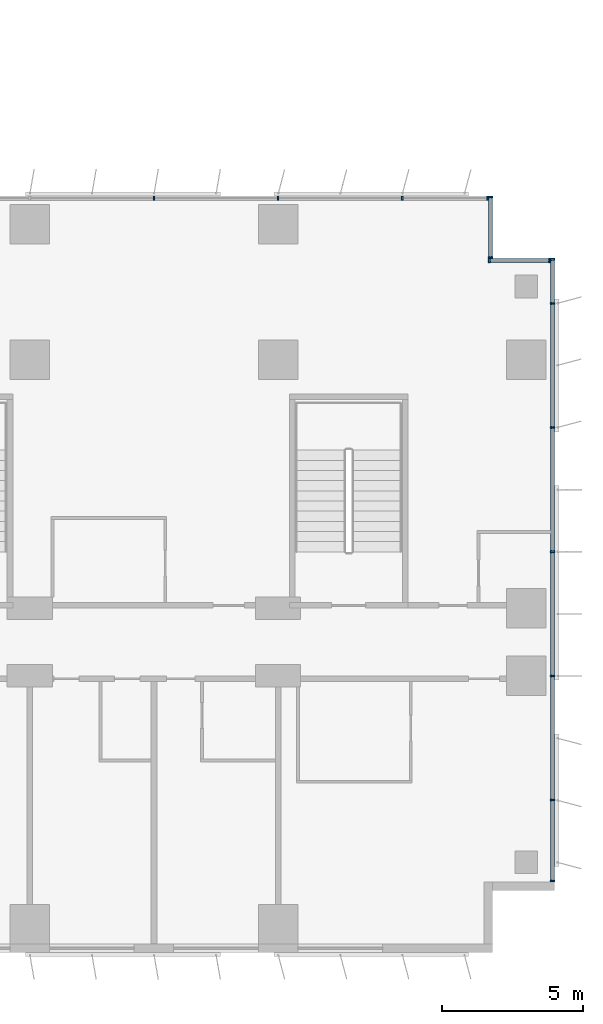
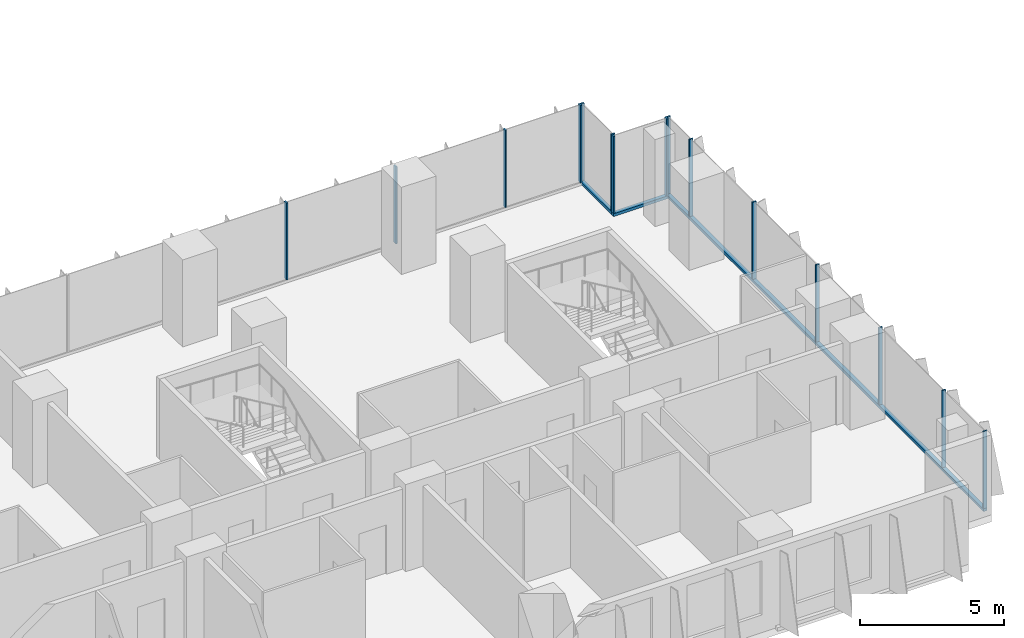
# One storey, part 8 of 24: 18 members, 4 elements without a shape of their own.
"""IFC4 building model written with IfcOpenShell, lengths in metres."""

import ifcopenshell
import ifcopenshell.guid

model = None  # the IFC model being written
_history = None  # IfcOwnerHistory: only IFC2X3 demands one
_inside = {}  # id of a spatial element -> (the spatial element, [elements in it])
_under = {}  # id of a project, library or spatial element -> (it, [spatial elements below it])
_declared = {}  # id of a project -> (the project, [libraries it declares])
_typed = {}  # id of a type object -> (the type object, [elements of that type])
_made_of = {}  # id of a material, layer set ... -> (it, [elements and type objects made of it])


def new_model(schema):
    """Start an empty IFC model of exactly this schema.

    Asked for "IFC4X3", IfcOpenShell would pick the latest addendum, in which some entities
    have other attributes; the version numbers below select the first issue.
    IFC2X3 requires an IfcOwnerHistory on every rooted entity: one is made here for all.
    """
    global model, _history
    if schema == "IFC4X3":
        model = ifcopenshell.file(schema_version=(4, 3, 0, 0))
    else:
        model = ifcopenshell.file(schema=schema)
    _inside.clear()
    _under.clear()
    _declared.clear()
    _typed.clear()
    _made_of.clear()
    _history = None
    if model.schema == "IFC2X3":
        org = make("IfcOrganization", Name="unknown")
        user = make(
            "IfcPersonAndOrganization",
            ThePerson=make("IfcPerson", FamilyName="unknown"),
            TheOrganization=org,
        )
        app = make(
            "IfcApplication",
            ApplicationDeveloper=org,
            Version="unknown",
            ApplicationFullName="unknown",
            ApplicationIdentifier="unknown",
        )
        _history = make(
            "IfcOwnerHistory",
            OwningUser=user,
            OwningApplication=app,
            ChangeAction="ADDED",
            CreationDate=0,
        )
    return model


def make(cls, **values):
    """One entity of the class cls with the attributes given. An attribute that is None is left unset."""
    return model.create_entity(
        cls, **{name: value for name, value in values.items() if value is not None}
    )


def rooted(cls, **values):
    """An entity with a GlobalId (a new one), such as an element, a storey or a relation."""
    return make(cls, GlobalId=ifcopenshell.guid.new(), OwnerHistory=_history, **values)


def si_unit(unit_type, name, prefix=None):
    """IfcSIUnit, for example si_unit("LENGTHUNIT", "METRE", prefix="MILLI")."""
    return make("IfcSIUnit", UnitType=unit_type, Prefix=prefix, Name=name)


def assignment(units):
    """IfcUnitAssignment: the units of a project."""
    return None if units is None else make("IfcUnitAssignment", Units=units)


def point(xyz):
    """IfcCartesianPoint."""
    return None if xyz is None else make("IfcCartesianPoint", Coordinates=xyz)


def direction(xyz):
    """IfcDirection."""
    return None if xyz is None else make("IfcDirection", DirectionRatios=xyz)


def frame(location, z_axis=None, x_axis=None):
    """IfcAxis2Placement3D, a coordinate frame: its origin and axes. An axis left out is left unset."""
    return make(
        "IfcAxis2Placement3D",
        Location=point(location),
        Axis=direction(z_axis),
        RefDirection=direction(x_axis),
    )


def frame_2d(location, x_axis=None):
    """IfcAxis2Placement2D, a coordinate frame in the plane: its origin and x axis."""
    return make(
        "IfcAxis2Placement2D", Location=point(location), RefDirection=direction(x_axis)
    )


def origin():
    """The frame at (0, 0, 0) with its axes left unset."""
    return frame((0.0, 0.0, 0.0))


def origin_2d():
    """The frame at (0, 0) in the plane with its x axis left unset."""
    return frame_2d((0.0, 0.0))


def place(relative_to, where):
    """IfcLocalPlacement: puts the frame where relative to a parent placement (None: the world)."""
    return make(
        "IfcLocalPlacement", PlacementRelTo=relative_to, RelativePlacement=where
    )


def context(
    kind, dimensions, precision=None, world=None, true_north=None, identifier=None
):
    """IfcGeometricRepresentationContext, for example the 3D "Model" context."""
    return make(
        "IfcGeometricRepresentationContext",
        ContextIdentifier=identifier,
        ContextType=kind,
        CoordinateSpaceDimension=dimensions,
        Precision=precision,
        WorldCoordinateSystem=world,
        TrueNorth=true_north,
    )


def subcontext(parent, identifier, kind, view, scale=None):
    """IfcGeometricRepresentationSubContext, for example "Body" below "Model"."""
    return make(
        "IfcGeometricRepresentationSubContext",
        ContextIdentifier=identifier,
        ContextType=kind,
        ParentContext=parent,
        TargetScale=scale,
        TargetView=view,
    )


def project(units=None, contexts=None):
    """IfcProject with its units and contexts."""
    return rooted(
        "IfcProject",
        Name="project",
        RepresentationContexts=contexts,
        UnitsInContext=assignment(units),
    )


def spatial(cls, under=None, at=None, **own):
    """A site, building, storey or space (cls), placed at a placement, below another one or the project."""
    s = rooted(cls, ObjectPlacement=at, **own)
    if under is not None:
        _under.setdefault(under.id(), (under, []))[1].append(s)
    return s


def profile(cls, at=None, kind="AREA", **sizes):
    """A parametric profile (cls). Its sizes go by their IFC names, for example OverallWidth=200.0."""
    return make(cls, ProfileType=kind, Position=at, **sizes)


def rectangle(**sizes):
    """IfcRectangleProfileDef."""
    return profile("IfcRectangleProfileDef", **sizes)


def extrude(swept, where, along, depth):
    """IfcExtrudedAreaSolid: the profile swept, set in the frame where, extruded along a direction by depth."""
    return make(
        "IfcExtrudedAreaSolid",
        SweptArea=swept,
        Position=where,
        ExtrudedDirection=direction(along),
        Depth=depth,
    )


def shape(context_of_items, identifier, shape_type, items):
    """IfcShapeRepresentation: the items that make up one representation, for example the "Body"."""
    return make(
        "IfcShapeRepresentation",
        ContextOfItems=context_of_items,
        RepresentationIdentifier=identifier,
        RepresentationType=shape_type,
        Items=items,
    )


def source(mapping_origin, context_of_items, identifier, shape_type, items):
    """IfcRepresentationMap: a shape defined once, which mapped items show again and again."""
    return make(
        "IfcRepresentationMap",
        MappingOrigin=mapping_origin,
        MappedRepresentation=shape(context_of_items, identifier, shape_type, items),
    )


def transform(
    local_origin,
    x_axis=None,
    y_axis=None,
    z_axis=None,
    scale=None,
    scale2=None,
    scale3=None,
    uniform=True,
):
    """IfcCartesianTransformationOperator3D, or its non-uniform kind. x_axis, y_axis, z_axis: its Axis1, 2, 3."""
    if uniform:
        return make(
            "IfcCartesianTransformationOperator3D",
            Axis1=direction(x_axis),
            Axis2=direction(y_axis),
            LocalOrigin=point(local_origin),
            Scale=scale,
            Axis3=direction(z_axis),
        )
    return make(
        "IfcCartesianTransformationOperator3DnonUniform",
        Axis1=direction(x_axis),
        Axis2=direction(y_axis),
        LocalOrigin=point(local_origin),
        Scale=scale,
        Axis3=direction(z_axis),
        Scale2=scale2,
        Scale3=scale3,
    )


def mapped(mapping_source, mapping_target):
    """IfcMappedItem: shows the shape of a source again, moved by a transform."""
    return make(
        "IfcMappedItem", MappingSource=mapping_source, MappingTarget=mapping_target
    )


def material(Name=None, Category=None):
    """IfcMaterial."""
    return make("IfcMaterial", Name=Name, Category=Category)


def material_profile(
    of_material, cross_section, Name=None, Category=None, Priority=None
):
    """IfcMaterialProfile: a cross section and its material."""
    return make(
        "IfcMaterialProfile",
        Name=Name,
        Material=of_material,
        Profile=cross_section,
        Priority=Priority,
        Category=Category,
    )


def profile_set(profiles, Name=None, composite=None):
    """IfcMaterialProfileSet."""
    return make(
        "IfcMaterialProfileSet",
        Name=Name,
        MaterialProfiles=profiles,
        CompositeProfile=composite,
    )


def made_of(thing, what):
    """Note that an element or type object is made of a material, layer set ...; save() writes the relation."""
    if what is not None:
        _made_of.setdefault(what.id(), (what, []))[1].append(thing)
    return thing


def type_object(cls, material=None, **own):
    """A type object (cls), such as IfcWallType, which elements share."""
    return made_of(rooted(cls, **own), material)


def element(
    cls,
    number,
    at=None,
    inside=None,
    cuts=None,
    type_object=None,
    material=None,
    context=None,
    identifier="Body",
    shape_type=None,
    held_by="IfcProductDefinitionShape",
    body=None,
    shapes=None,
    **own,
):
    """One element of the class cls, such as IfcWall. Its Tag is "e" and its number.

    at: its placement. inside: the storey or other place that contains it. cuts: it is an
    opening in that element (IfcRelVoidsElement). A single representation is given by context,
    identifier, shape_type and body (its items); several are given by shapes. held_by: the class
    of the entity that holds the representations. save() writes the other relations.
    """
    e = rooted(cls, Tag="e%d" % number, ObjectPlacement=at, **own)
    if body is not None:
        shapes = [shape(context, identifier, shape_type, body)]
    if shapes is not None:
        e.Representation = make(held_by, Representations=shapes)
    if inside is not None:
        _inside.setdefault(inside.id(), (inside, []))[1].append(e)
    if cuts is not None:
        rooted(
            "IfcRelVoidsElement", RelatingBuildingElement=cuts, RelatedOpeningElement=e
        )
    if type_object is not None:
        _typed.setdefault(type_object.id(), (type_object, []))[1].append(e)
    return made_of(e, material)


def aggregate(whole, parts):
    """IfcRelAggregates: a whole, such as a stair, and the parts it consists of."""
    return rooted("IfcRelAggregates", RelatingObject=whole, RelatedObjects=parts)


def save(model, path):
    """Write the relations noted so far, then the file.

    IfcRelAggregates (storeys below a building ...), IfcRelContainedInSpatialStructure (elements
    in a storey), IfcRelDefinesByType, IfcRelAssociatesMaterial and IfcRelDeclares: one each for
    every whole, place, type object, material and project.
    """
    for whole, parts in _under.values():
        aggregate(whole, parts)
    for where, things in _inside.values():
        rooted(
            "IfcRelContainedInSpatialStructure",
            RelatedElements=things,
            RelatingStructure=where,
        )
    for kind, things in _typed.values():
        rooted("IfcRelDefinesByType", RelatedObjects=things, RelatingType=kind)
    for what, things in _made_of.values():
        rooted("IfcRelAssociatesMaterial", RelatedObjects=things, RelatingMaterial=what)
    for by, libraries in _declared.values():
        rooted("IfcRelDeclares", RelatingContext=by, RelatedDefinitions=libraries)
    model.write(path)


model = new_model("IFC4")

# Units and contexts
model_context = context("Model", 3, precision=1e-05, world=origin(), true_north=direction((0.0, 1.0)))
body_context = subcontext(model_context, "Body", "Model", "MODEL_VIEW")
ifc_project = project(units=[si_unit("LENGTHUNIT", "METRE"), si_unit("AREAUNIT", "SQUARE_METRE"), si_unit("VOLUMEUNIT", "CUBIC_METRE"), si_unit("PLANEANGLEUNIT", "RADIAN"), si_unit("MASSUNIT", "GRAM", prefix="KILO")], contexts=[model_context])

# Site, building, storey
site_placement = place(None, origin())
site = spatial("IfcSite", under=ifc_project, at=site_placement, CompositionType="ELEMENT")
building_placement = place(site_placement, origin())
building = spatial("IfcBuilding", under=site, at=building_placement, Name="Kemantara Hotel Tower", CompositionType="ELEMENT")
storey_placement = place(building_placement, frame((0.0, 0.0, 45.10009765625)))
storey = spatial("IfcBuildingStorey", under=building, at=storey_placement, Name="L09", CompositionType="ELEMENT", Elevation=45.10009765625)

# Curtain wall, member
ifc_material_1 = material(Name="Low-E tinted double insulated glass 36 mm", Category="glass")
curtain_wall_type = type_object("IfcCurtainWallType", Name="TOWER CURTAIN WALL, FRONT FACES", PredefinedType="USERDEFINED", material=ifc_material_1)
curtain_wall_1_placement = place(storey_placement, origin())
curtain_wall_1 = element("IfcCurtainWall", 1, at=curtain_wall_1_placement, inside=storey, type_object=curtain_wall_type, Name="CW4 L09 T1-R04-1", ObjectType="TOWER CURTAIN WALL, FRONT FACES", PredefinedType="USERDEFINED")
ifc_material_2 = material(Name="Aluminium 6063-T6 bronze anodised", Category="aluminium")
ifc_material_profile_1 = material_profile(ifc_material_2, rectangle(XDim=0.14990234375, YDim=0.1201171875, at=origin_2d()), Name="TOWER CURTAIN WALL, FRONT FACES TRANSOM")
ifc_profile_set_1 = profile_set([ifc_material_profile_1], Name="Aluminium 6063-T6 bronze anodised")
member_type_1 = type_object("IfcMemberType", Name="TOWER CURTAIN WALL, FRONT FACES TRANSOM", PredefinedType="USERDEFINED", material=ifc_profile_set_1)
member_1_placement = place(storey_placement, frame((81.125, 2.5, 0.059814453125), z_axis=(0.0, 1.0, 0.0), x_axis=(-1.0, 0.0, 0.0)))
member_1 = element("IfcMember", 2, at=member_1_placement, type_object=member_type_1, Name="CW4 sill transom T1-R04-1", ObjectType="TRANSOM", PredefinedType="USERDEFINED", context=body_context, shape_type="SweptSolid", body=[
    extrude(rectangle(XDim=0.14990234375, YDim=0.1201171875, at=origin_2d()), origin(), (0.0, 0.0, 1.0), 22.10009765625),
])

curtain_wall_2_placement = place(storey_placement, origin())
curtain_wall_2 = element("IfcCurtainWall", 3, at=curtain_wall_2_placement, inside=storey, type_object=curtain_wall_type, Name="CW4 L09 T1-R05-1", ObjectType="TOWER CURTAIN WALL, FRONT FACES", PredefinedType="USERDEFINED")
member_2_placement = place(storey_placement, frame((81.050048828125, 24.52490234375, 0.059814453125), z_axis=(-1.0, 0.0, 0.0), x_axis=(0.0, -1.0, 0.0)))
member_2 = element("IfcMember", 4, at=member_2_placement, type_object=member_type_1, Name="CW4 sill transom T1-R05-1", ObjectType="TRANSOM", PredefinedType="USERDEFINED", context=body_context, shape_type="SweptSolid", body=[
    extrude(rectangle(XDim=0.14990234375, YDim=0.1201171875, at=origin_2d()), origin(), (0.0, 0.0, 1.0), 2.199951171875),
])

curtain_wall_3_placement = place(storey_placement, origin())
curtain_wall_3 = element("IfcCurtainWall", 5, at=curtain_wall_3_placement, inside=storey, type_object=curtain_wall_type, Name="CW4 L09 T1-R06-1", ObjectType="TOWER CURTAIN WALL, FRONT FACES", PredefinedType="USERDEFINED")
member_3_placement = place(storey_placement, frame((78.925048828125, 24.60009765625, 0.059814453125), z_axis=(0.0, 1.0, 0.0), x_axis=(-1.0, 0.0, 0.0)))
member_3 = element("IfcMember", 6, at=member_3_placement, type_object=member_type_1, Name="CW4 sill transom T1-R06-1", ObjectType="TRANSOM", PredefinedType="USERDEFINED", context=body_context, shape_type="SweptSolid", body=[
    extrude(rectangle(XDim=0.14990234375, YDim=0.1201171875, at=origin_2d()), origin(), (0.0, 0.0, 1.0), 2.199951171875),
])

# Member
ifc_material_profile_2 = material_profile(ifc_material_2, rectangle(XDim=0.14990234375, YDim=0.06005859375, at=origin_2d()), Name="TOWER CURTAIN WALL, FRONT FACES MULLION")
ifc_profile_set_2 = profile_set([ifc_material_profile_2], Name="Aluminium 6063-T6 bronze anodised")
member_type_2 = type_object("IfcMemberType", Name="TOWER CURTAIN WALL, FRONT FACES MULLION", PredefinedType="MULLION", material=ifc_profile_set_2)
shared_shape = source(origin(), body_context, "Body", "SweptSolid", [
    extrude(rectangle(XDim=0.14990234375, YDim=0.06005859375, at=origin_2d()), origin(), (0.0, 0.0, 1.0), 3.280029296875),
])
member_4_placement = place(storey_placement, frame((81.125, 2.530029296875, 0.119873046875), z_axis=(0.0, 0.0, 1.0), x_axis=(-1.0, 0.0, 0.0)))
member_4 = element("IfcMember", 7, at=member_4_placement, type_object=member_type_2, Name="CW4 mullion T1-R04-1.1", PredefinedType="MULLION", context=body_context, shape_type="MappedRepresentation", body=[
    mapped(shared_shape, transform((0.0, 0.0, 0.0))),
])

member_5_placement = place(storey_placement, frame((81.125, 5.39990234375, 0.119873046875), z_axis=(0.0, 0.0, 1.0), x_axis=(-1.0, 0.0, 0.0)))
member_5 = element("IfcMember", 8, at=member_5_placement, type_object=member_type_2, Name="CW4 mullion T1-R04-1.2", PredefinedType="MULLION", context=body_context, shape_type="MappedRepresentation", body=[
    mapped(shared_shape, transform((0.0, 0.0, 0.0))),
])

member_6_placement = place(storey_placement, frame((81.125, 9.800048828125, 0.119873046875), z_axis=(0.0, 0.0, 1.0), x_axis=(-1.0, 0.0, 0.0)))
member_6 = element("IfcMember", 9, at=member_6_placement, type_object=member_type_2, Name="CW4 mullion T1-R04-1.3", PredefinedType="MULLION", context=body_context, shape_type="MappedRepresentation", body=[
    mapped(shared_shape, transform((0.0, 0.0, 0.0))),
])

member_7_placement = place(storey_placement, frame((81.125, 14.199951171875, 0.119873046875), z_axis=(0.0, 0.0, 1.0), x_axis=(-1.0, 0.0, 0.0)))
member_7 = element("IfcMember", 10, at=member_7_placement, type_object=member_type_2, Name="CW4 mullion T1-R04-1.4", PredefinedType="MULLION", context=body_context, shape_type="MappedRepresentation", body=[
    mapped(shared_shape, transform((0.0, 0.0, 0.0))),
])

member_8_placement = place(storey_placement, frame((81.125, 18.60009765625, 0.119873046875), z_axis=(0.0, 0.0, 1.0), x_axis=(-1.0, 0.0, 0.0)))
member_8 = element("IfcMember", 11, at=member_8_placement, type_object=member_type_2, Name="CW4 mullion T1-R04-1.5", PredefinedType="MULLION", context=body_context, shape_type="MappedRepresentation", body=[
    mapped(shared_shape, transform((0.0, 0.0, 0.0))),
])

member_9_placement = place(storey_placement, frame((81.125, 23.0, 0.119873046875), z_axis=(0.0, 0.0, 1.0), x_axis=(-1.0, 0.0, 0.0)))
member_9 = element("IfcMember", 12, at=member_9_placement, type_object=member_type_2, Name="CW4 mullion T1-R04-1.6", PredefinedType="MULLION", context=body_context, shape_type="MappedRepresentation", body=[
    mapped(shared_shape, transform((0.0, 0.0, 0.0))),
])

member_10_placement = place(storey_placement, frame((81.125, 24.570068359375, 0.119873046875), z_axis=(0.0, 0.0, 1.0), x_axis=(-1.0, 0.0, 0.0)))
member_10 = element("IfcMember", 13, at=member_10_placement, type_object=member_type_2, Name="CW4 mullion T1-R04-1.7", PredefinedType="MULLION", context=body_context, shape_type="MappedRepresentation", body=[
    mapped(shared_shape, transform((0.0, 0.0, 0.0))),
])

aggregate(curtain_wall_1, [member_1, member_4, member_5, member_6, member_7, member_8, member_9, member_10])

# Curtain wall, members
curtain_wall_4_placement = place(storey_placement, origin())
curtain_wall_4 = element("IfcCurtainWall", 14, at=curtain_wall_4_placement, inside=storey, type_object=curtain_wall_type, Name="CW4 L09 T1-R07-1", ObjectType="TOWER CURTAIN WALL, FRONT FACES", PredefinedType="USERDEFINED")
member_11_placement = place(storey_placement, frame((78.820068359375, 26.72509765625, 0.119873046875), z_axis=(0.0, 0.0, 1.0), x_axis=(0.0, -1.0, 0.0)))
member_11 = element("IfcMember", 15, at=member_11_placement, type_object=member_type_2, Name="CW4 mullion T1-R07-1.1", PredefinedType="MULLION", context=body_context, shape_type="MappedRepresentation", body=[
    mapped(shared_shape, transform((0.0, 0.0, 0.0))),
])
member_12_placement = place(storey_placement, frame((75.800048828125, 26.72509765625, 0.119873046875), z_axis=(0.0, 0.0, 1.0), x_axis=(0.0, -1.0, 0.0)))
member_12 = element("IfcMember", 16, at=member_12_placement, type_object=member_type_2, Name="CW4 mullion T1-R07-1.2", PredefinedType="MULLION", context=body_context, shape_type="MappedRepresentation", body=[
    mapped(shared_shape, transform((0.0, 0.0, 0.0))),
])
member_13_placement = place(storey_placement, frame((71.39990234375, 26.72509765625, 0.119873046875), z_axis=(0.0, 0.0, 1.0), x_axis=(0.0, -1.0, 0.0)))
member_13 = element("IfcMember", 17, at=member_13_placement, type_object=member_type_2, Name="CW4 mullion T1-R07-1.3", PredefinedType="MULLION", context=body_context, shape_type="MappedRepresentation", body=[
    mapped(shared_shape, transform((0.0, 0.0, 0.0))),
])
member_14_placement = place(storey_placement, frame((67.0, 26.72509765625, 0.119873046875), z_axis=(0.0, 0.0, 1.0), x_axis=(0.0, -1.0, 0.0)))
member_14 = element("IfcMember", 18, at=member_14_placement, type_object=member_type_2, Name="CW4 mullion T1-R07-1.4", PredefinedType="MULLION", context=body_context, shape_type="MappedRepresentation", body=[
    mapped(shared_shape, transform((0.0, 0.0, 0.0))),
])
aggregate(curtain_wall_4, [member_11, member_12, member_13, member_14])

# Member
member_15_placement = place(storey_placement, frame((81.02001953125, 24.52490234375, 0.119873046875), z_axis=(0.0, 0.0, 1.0), x_axis=(0.0, -1.0, 0.0)))
member_15 = element("IfcMember", 19, at=member_15_placement, type_object=member_type_2, Name="CW4 mullion T1-R05-1.1", PredefinedType="MULLION", context=body_context, shape_type="MappedRepresentation", body=[
    mapped(shared_shape, transform((0.0, 0.0, 0.0))),
])

member_16_placement = place(storey_placement, frame((78.8798828125, 24.52490234375, 0.119873046875), z_axis=(0.0, 0.0, 1.0), x_axis=(0.0, -1.0, 0.0)))
member_16 = element("IfcMember", 20, at=member_16_placement, type_object=member_type_2, Name="CW4 mullion T1-R05-1.2", PredefinedType="MULLION", context=body_context, shape_type="MappedRepresentation", body=[
    mapped(shared_shape, transform((0.0, 0.0, 0.0))),
])

aggregate(curtain_wall_2, [member_2, member_15, member_16])

member_17_placement = place(storey_placement, frame((78.925048828125, 24.6298828125, 0.119873046875), z_axis=(0.0, 0.0, 1.0), x_axis=(-1.0, 0.0, 0.0)))
member_17 = element("IfcMember", 21, at=member_17_placement, type_object=member_type_2, Name="CW4 mullion T1-R06-1.1", PredefinedType="MULLION", context=body_context, shape_type="MappedRepresentation", body=[
    mapped(shared_shape, transform((0.0, 0.0, 0.0))),
])

member_18_placement = place(storey_placement, frame((78.925048828125, 26.77001953125, 0.119873046875), z_axis=(0.0, 0.0, 1.0), x_axis=(-1.0, 0.0, 0.0)))
member_18 = element("IfcMember", 22, at=member_18_placement, type_object=member_type_2, Name="CW4 mullion T1-R06-1.2", PredefinedType="MULLION", context=body_context, shape_type="MappedRepresentation", body=[
    mapped(shared_shape, transform((0.0, 0.0, 0.0))),
])

aggregate(curtain_wall_3, [member_3, member_17, member_18])

save(model, "model.ifc")
